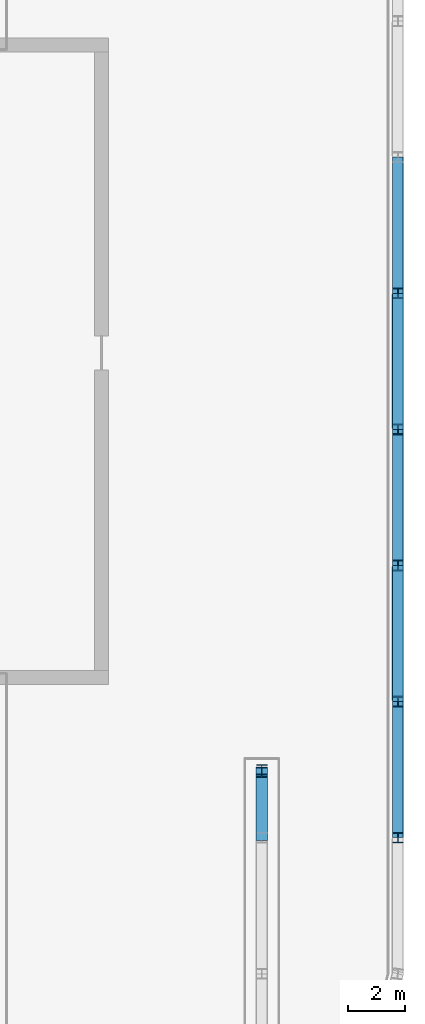
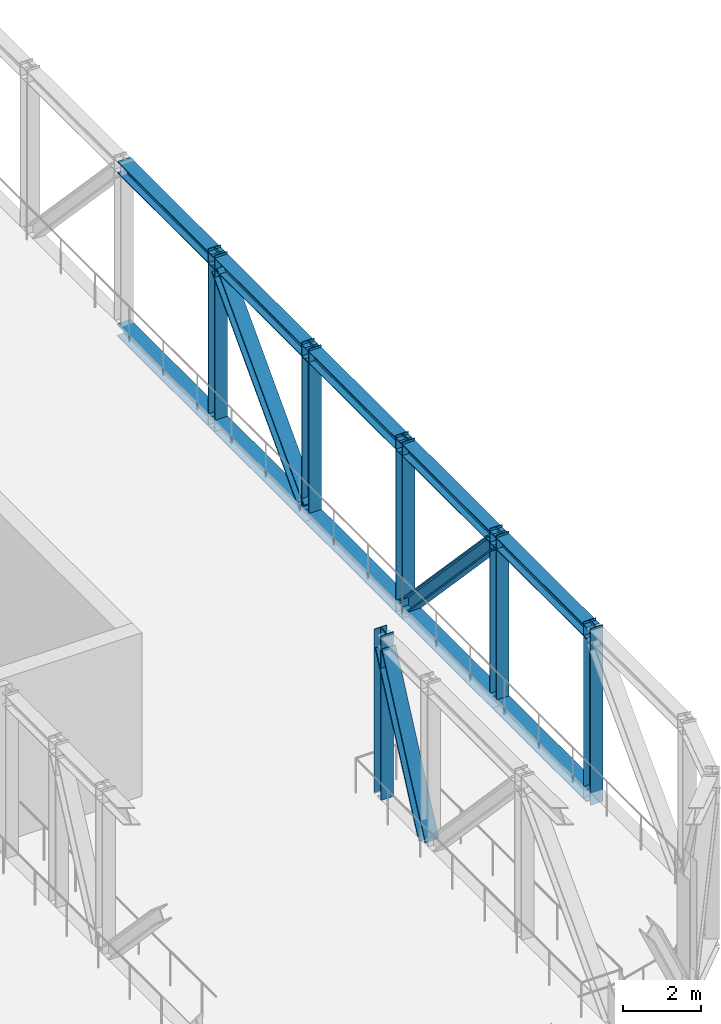
# One storey, part 4 of 16: 19 members.
"""IFC4 building model written with IfcOpenShell, lengths in metres."""

from ifc_helpers import new_model, si_unit, direction, frame, origin, origin_2d, place, context, subcontext, project, spatial, i_section, extrude, material, material_profile, profile_set, type_object, element, save


model = new_model("IFC4")

# Units and contexts
model_context = context("Model", 3, precision=1e-05, world=origin(), true_north=direction((0.0, 1.0)))
body_context = subcontext(model_context, "Body", "Model", "MODEL_VIEW")
ifc_project = project(units=[si_unit("LENGTHUNIT", "METRE"), si_unit("AREAUNIT", "SQUARE_METRE"), si_unit("VOLUMEUNIT", "CUBIC_METRE"), si_unit("PLANEANGLEUNIT", "RADIAN"), si_unit("MASSUNIT", "GRAM", prefix="KILO")], contexts=[model_context])

# Site, building, storey
site_placement = place(None, origin())
site = spatial("IfcSite", under=ifc_project, at=site_placement, CompositionType="ELEMENT")
building_placement = place(site_placement, origin())
building = spatial("IfcBuilding", under=site, at=building_placement, Name="Madar Terraces", CompositionType="ELEMENT")
storey_placement = place(building_placement, frame((0.0, 0.0, 263.199951171875)))
storey = spatial("IfcBuildingStorey", under=building, at=storey_placement, Name="L69", CompositionType="ELEMENT", Elevation=263.199951171875)

# Members
ifc_material_1 = material(Name="Steel ASTM A992 Grade 50", Category="steel")
ifc_material_profile_1 = material_profile(ifc_material_1, i_section(OverallWidth=0.396240234375, OverallDepth=0.381103515625, WebThickness=0.01904296875, FlangeThickness=0.0302734375, at=origin_2d()), Name="W14x159")
ifc_profile_set_1 = profile_set([ifc_material_profile_1], Name="Steel ASTM A992 Grade 50")
member_type_1 = type_object("IfcMemberType", Name="BC9 W14x159", PredefinedType="CHORD", material=ifc_profile_set_1)
member_1_placement = place(storey_placement, frame((57.60009765625, 9.60009765625, -0.2294921875), z_axis=(0.0, 1.0, 0.0), x_axis=(-1.0, 0.0, 0.0)))
element("IfcMember", 1, at=member_1_placement, inside=storey, type_object=member_type_1, Name="Exoskeleton truss ring bottom chord BC9", PredefinedType="CHORD", context=body_context, shape_type="SweptSolid", body=[
    extrude(i_section(OverallWidth=0.396240234375, OverallDepth=0.381103515625, WebThickness=0.01904296875, FlangeThickness=0.0302734375, at=origin_2d()), origin(), (0.0, 0.0, 1.0), 4.7998046875),
])
for number, where, z_axis, x_axis, name in (
    (2, (57.60009765625, 14.39990234375, -0.2294921875), (0.0, 1.0, 0.0), (-1.0, 0.0, 0.0), "Exoskeleton truss ring bottom chord BC9"),
    (3, (57.60009765625, 19.199951171875, -0.2294921875), (0.0, 1.0, 0.0), (-1.0, 0.0, 0.0), "Exoskeleton truss ring bottom chord BC9"),
    (4, (57.60009765625, 24.0, -0.2294921875), (0.0, 1.0, 0.0), (-1.0, 0.0, 0.0), "Exoskeleton truss ring bottom chord BC9"),
    (5, (57.60009765625, 28.800048828125, -0.2294921875), (0.0, 1.0, 0.0), (-1.0, 0.0, 0.0), "Exoskeleton truss ring bottom chord BC9"),
):
    element("IfcMember", number, at=place(storey_placement, frame(where, z_axis=z_axis, x_axis=x_axis)), inside=storey, type_object=member_type_1, Name=name, PredefinedType="CHORD", context=body_context, shape_type="SweptSolid", body=[
        extrude(i_section(OverallWidth=0.396240234375, OverallDepth=0.381103515625, WebThickness=0.01904296875, FlangeThickness=0.0302734375, at=origin_2d()), origin(), (0.0, 0.0, 1.0), 4.800048828125),
    ])
ifc_material_2 = material(Name="Steel ASTM A992 Grade 50", Category="steel")
ifc_material_profile_2 = material_profile(ifc_material_2, i_section(OverallWidth=0.373291015625, OverallDepth=0.373291015625, WebThickness=0.016357421875, FlangeThickness=0.026123046875, at=origin_2d()), Name="W14x132")
ifc_profile_set_2 = profile_set([ifc_material_profile_2], Name="Steel ASTM A992 Grade 50")
member_type_2 = type_object("IfcMemberType", Name="TC9 W14x132", PredefinedType="CHORD", material=ifc_profile_set_2)
member_2_placement = place(storey_placement, frame((57.60009765625, 9.60009765625, 4.84326171875), z_axis=(0.0, 1.0, 0.0), x_axis=(-1.0, 0.0, 0.0)))
element("IfcMember", 6, at=member_2_placement, inside=storey, type_object=member_type_2, Name="Exoskeleton truss ring top chord TC9", PredefinedType="CHORD", context=body_context, shape_type="SweptSolid", body=[
    extrude(i_section(OverallWidth=0.373291015625, OverallDepth=0.373291015625, WebThickness=0.016357421875, FlangeThickness=0.026123046875, at=origin_2d()), origin(), (0.0, 0.0, 1.0), 4.7998046875),
])
for number, where, z_axis, x_axis, name in (
    (7, (57.60009765625, 14.39990234375, 4.84326171875), (0.0, 1.0, 0.0), (-1.0, 0.0, 0.0), "Exoskeleton truss ring top chord TC9"),
    (8, (57.60009765625, 19.199951171875, 4.84326171875), (0.0, 1.0, 0.0), (-1.0, 0.0, 0.0), "Exoskeleton truss ring top chord TC9"),
    (9, (57.60009765625, 24.0, 4.84326171875), (0.0, 1.0, 0.0), (-1.0, 0.0, 0.0), "Exoskeleton truss ring top chord TC9"),
    (10, (57.60009765625, 28.800048828125, 4.84326171875), (0.0, 1.0, 0.0), (-1.0, 0.0, 0.0), "Exoskeleton truss ring top chord TC9"),
):
    element("IfcMember", number, at=place(storey_placement, frame(where, z_axis=z_axis, x_axis=x_axis)), inside=storey, type_object=member_type_2, Name=name, PredefinedType="CHORD", context=body_context, shape_type="SweptSolid", body=[
        extrude(i_section(OverallWidth=0.373291015625, OverallDepth=0.373291015625, WebThickness=0.016357421875, FlangeThickness=0.026123046875, at=origin_2d()), origin(), (0.0, 0.0, 1.0), 4.800048828125),
    ])
ifc_material_3 = material(Name="Steel ASTM A992 Grade 50", Category="steel")
ifc_material_profile_3 = material_profile(ifc_material_3, i_section(OverallWidth=0.4013671875, OverallDepth=0.398681640625, WebThickness=0.02490234375, FlangeThickness=0.03955078125, at=origin_2d()), Name="W14x211")
ifc_profile_set_3 = profile_set([ifc_material_profile_3], Name="Steel ASTM A992 Grade 50")
member_type_3 = type_object("IfcMemberType", Name="TD9 W14x211", PredefinedType="BRACE", material=ifc_profile_set_3)
for number, where, z_axis, x_axis, name in (
    (11, (57.60009765625, 14.57666015625, 4.65673828125), (0.0, 0.687293038858, -0.726380257673), (-1.0, 0.0, 0.0), "Exoskeleton truss ring diagonal TD9"),
    (12, (57.60009765625, 24.18017578125, -0.0390625), (0.0, 0.687293038858, 0.726380257673), (-1.0, 0.0, 0.0), "Exoskeleton truss ring diagonal TD9"),
):
    element("IfcMember", number, at=place(storey_placement, frame(where, z_axis=z_axis, x_axis=x_axis)), inside=storey, type_object=member_type_3, Name=name, PredefinedType="BRACE", context=body_context, shape_type="SweptSolid", body=[
        extrude(i_section(OverallWidth=0.4013671875, OverallDepth=0.398681640625, WebThickness=0.02490234375, FlangeThickness=0.03955078125, at=origin_2d()), origin(), (0.0, 0.0, 1.0), 6.464599609375),
    ])
member_3_placement = place(storey_placement, frame((52.800048828125, 9.690185546875, -0.0390625), z_axis=(0.0, 0.427631731749, 0.903953041923), x_axis=(-1.0, 0.0, 0.0)))
element("IfcMember", 13, at=member_3_placement, inside=storey, type_object=member_type_3, Name="Exoskeleton truss cross S52.8 diagonal TD9", PredefinedType="BRACE", context=body_context, shape_type="SweptSolid", body=[
    extrude(i_section(OverallWidth=0.4013671875, OverallDepth=0.398681640625, WebThickness=0.02490234375, FlangeThickness=0.03955078125, at=origin_2d()), origin(), (0.0, 0.0, 1.0), 5.19482421875),
])
ifc_material_4 = material(Name="Steel ASTM A992 Grade 50", Category="steel")
ifc_material_profile_4 = material_profile(ifc_material_4, i_section(OverallWidth=0.370849609375, OverallDepth=0.36328125, WebThickness=0.013427734375, FlangeThickness=0.021728515625, at=origin_2d()), Name="W14x109")
ifc_profile_set_4 = profile_set([ifc_material_profile_4], Name="Steel ASTM A992 Grade 50")
member_type_4 = type_object("IfcMemberType", Name="TV9 W14x109", PredefinedType="POST", material=ifc_profile_set_4)
member_4_placement = place(storey_placement, frame((57.60009765625, 9.60009765625, -0.419921875), z_axis=(0.0, 0.0, 1.0), x_axis=(-1.0, 0.0, 0.0)))
element("IfcMember", 14, at=member_4_placement, inside=storey, type_object=member_type_4, Name="Exoskeleton truss ring post TV9", PredefinedType="POST", context=body_context, shape_type="SweptSolid", body=[
    extrude(i_section(OverallWidth=0.370849609375, OverallDepth=0.36328125, WebThickness=0.013427734375, FlangeThickness=0.021728515625, at=origin_2d()), origin(), (0.0, 0.0, 1.0), 5.52001953125),
])
member_5_placement = place(storey_placement, frame((57.60009765625, 14.39990234375, -0.0390625), z_axis=(0.0, 0.0, 1.0), x_axis=(-1.0, 0.0, 0.0)))
element("IfcMember", 15, at=member_5_placement, inside=storey, type_object=member_type_4, Name="Exoskeleton truss ring post TV9", PredefinedType="POST", context=body_context, shape_type="SweptSolid", body=[
    extrude(i_section(OverallWidth=0.370849609375, OverallDepth=0.36328125, WebThickness=0.013427734375, FlangeThickness=0.021728515625, at=origin_2d()), origin(), (0.0, 0.0, 1.0), 5.13916015625),
])
member_6_placement = place(storey_placement, frame((57.60009765625, 19.199951171875, -0.419921875), z_axis=(0.0, 0.0, 1.0), x_axis=(-1.0, 0.0, 0.0)))
element("IfcMember", 16, at=member_6_placement, inside=storey, type_object=member_type_4, Name="Exoskeleton truss ring post TV9", PredefinedType="POST", context=body_context, shape_type="SweptSolid", body=[
    extrude(i_section(OverallWidth=0.370849609375, OverallDepth=0.36328125, WebThickness=0.013427734375, FlangeThickness=0.021728515625, at=origin_2d()), origin(), (0.0, 0.0, 1.0), 5.52001953125),
])
member_7_placement = place(storey_placement, frame((57.60009765625, 24.0, -0.0390625), z_axis=(0.0, 0.0, 1.0), x_axis=(-1.0, 0.0, 0.0)))
element("IfcMember", 17, at=member_7_placement, inside=storey, type_object=member_type_4, Name="Exoskeleton truss ring post TV9", PredefinedType="POST", context=body_context, shape_type="SweptSolid", body=[
    extrude(i_section(OverallWidth=0.370849609375, OverallDepth=0.36328125, WebThickness=0.013427734375, FlangeThickness=0.021728515625, at=origin_2d()), origin(), (0.0, 0.0, 1.0), 5.13916015625),
])
member_8_placement = place(storey_placement, frame((57.60009765625, 28.800048828125, -0.419921875), z_axis=(0.0, 0.0, 1.0), x_axis=(-1.0, 0.0, 0.0)))
element("IfcMember", 18, at=member_8_placement, inside=storey, type_object=member_type_4, Name="Exoskeleton truss ring post TV9", PredefinedType="POST", context=body_context, shape_type="SweptSolid", body=[
    extrude(i_section(OverallWidth=0.370849609375, OverallDepth=0.36328125, WebThickness=0.013427734375, FlangeThickness=0.021728515625, at=origin_2d()), origin(), (0.0, 0.0, 1.0), 5.52001953125),
])
member_9_placement = place(storey_placement, frame((52.800048828125, 12.0, -0.0390625), z_axis=(0.0, 0.0, 1.0), x_axis=(-1.0, 0.0, 0.0)))
element("IfcMember", 19, at=member_9_placement, inside=storey, type_object=member_type_4, Name="Exoskeleton truss cross S52.8 post TV9", PredefinedType="POST", context=body_context, shape_type="SweptSolid", body=[
    extrude(i_section(OverallWidth=0.370849609375, OverallDepth=0.36328125, WebThickness=0.013427734375, FlangeThickness=0.021728515625, at=origin_2d()), origin(), (0.0, 0.0, 1.0), 5.13916015625),
])

save(model, "model.ifc")
